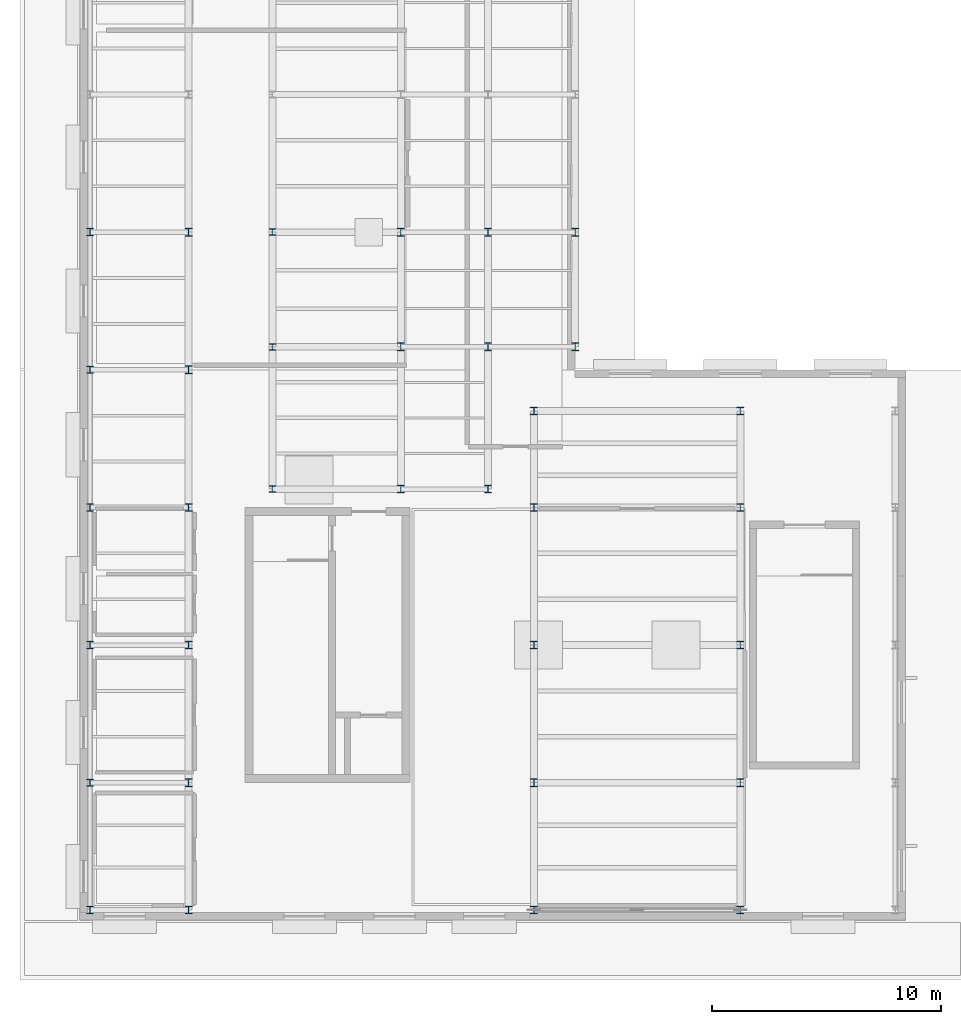
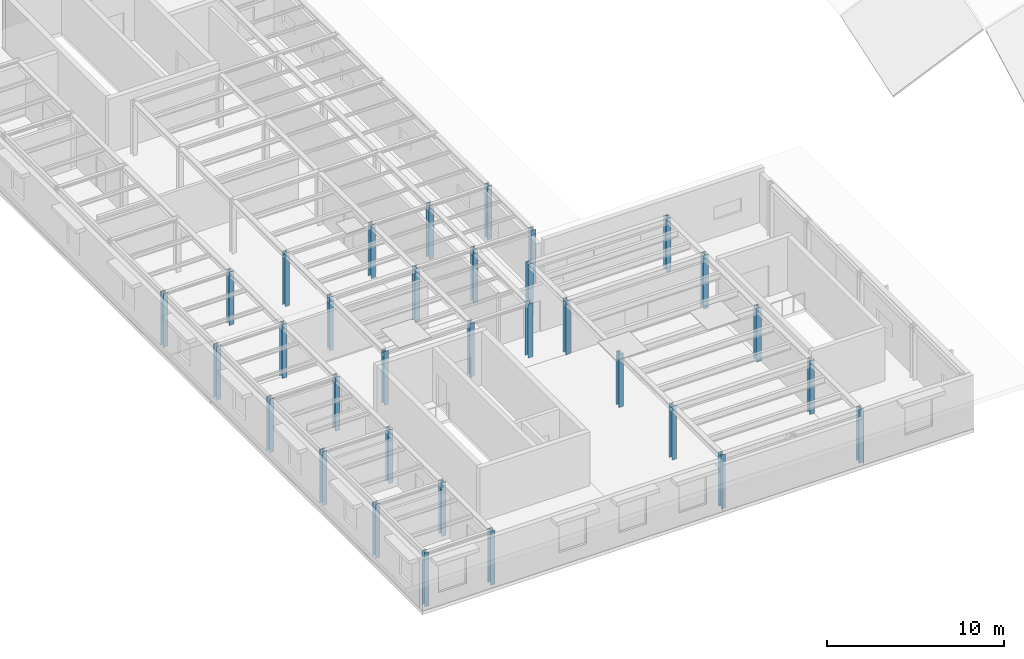
# One storey, part 1 of 10: 33 columns.
"""IFC4 building model written with IfcOpenShell, lengths in metres."""

from ifc_helpers import new_model, si_unit, direction, frame, origin, origin_2d, place, context, subcontext, project, spatial, i_section, extrude, material, material_profile, profile_set, type_object, element, save


model = new_model("IFC4")

# Units and contexts
model_context = context("Model", 3, precision=1e-05, world=origin(), true_north=direction((0.0, 1.0)))
body_context = subcontext(model_context, "Body", "Model", "MODEL_VIEW")
ifc_project = project(units=[si_unit("LENGTHUNIT", "METRE"), si_unit("AREAUNIT", "SQUARE_METRE"), si_unit("VOLUMEUNIT", "CUBIC_METRE"), si_unit("PLANEANGLEUNIT", "RADIAN"), si_unit("MASSUNIT", "GRAM", prefix="KILO")], contexts=[model_context])

# Site, building, storey
site_placement = place(None, origin())
site = spatial("IfcSite", under=ifc_project, at=site_placement, CompositionType="ELEMENT")
building_placement = place(site_placement, origin())
building = spatial("IfcBuilding", under=site, at=building_placement, Name="Kolvaren Corner Interchange", CompositionType="ELEMENT")
storey_placement = place(building_placement, frame((0.0, 0.0, 18.75)))
storey = spatial("IfcBuildingStorey", under=building, at=storey_placement, Name="L05", CompositionType="ELEMENT", Elevation=18.75)

# Columns
ifc_material_1 = material(Name="Steel S355", Category="steel")
ifc_material_profile_1 = material_profile(ifc_material_1, i_section(OverallWidth=0.280029296875, OverallDepth=0.280029296875, WebThickness=0.010498046875, FlangeThickness=0.01806640625, FilletRadius=0.02392578125, at=origin_2d()), Name="HEB 280")
ifc_profile_set_1 = profile_set([ifc_material_profile_1], Name="Steel S355")
column_type_1 = type_object("IfcColumnType", Name="COL-HEB280", PredefinedType="COLUMN", material=ifc_profile_set_1)
for number, where, z_axis, x_axis, name in (
    (1, (8.39990234375, 18.800048828125, 0.0), (0.0, 0.0, 1.0), (1.0, 0.0, 0.0), "Storey L05 Structural Column 0217"),
    (2, (8.39990234375, 25.0, 0.0), (0.0, 0.0, 1.0), (1.0, 0.0, 0.0), "Storey L05 Structural Column 0223"),
    (3, (8.39990234375, 30.0, 0.0), (0.0, 0.0, 1.0), (1.0, 0.0, 0.0), "Storey L05 Structural Column 0229"),
):
    element("IfcColumn", number, at=place(storey_placement, frame(where, z_axis=z_axis, x_axis=x_axis)), inside=storey, type_object=column_type_1, Name=name, PredefinedType="COLUMN", context=body_context, shape_type="SweptSolid", body=[
        extrude(i_section(OverallWidth=0.280029296875, OverallDepth=0.280029296875, WebThickness=0.010498046875, FlangeThickness=0.01806640625, FilletRadius=0.02392578125, at=origin_2d()), origin(), (0.0, 0.0, 1.0), 3.7099609375),
    ])
ifc_material_2 = material(Name="Steel S355", Category="steel")
ifc_material_profile_2 = material_profile(ifc_material_2, i_section(OverallWidth=0.300048828125, OverallDepth=0.320068359375, WebThickness=0.011474609375, FlangeThickness=0.0205078125, FilletRadius=0.027099609375, at=origin_2d()), Name="HEB 320")
ifc_profile_set_2 = profile_set([ifc_material_profile_2], Name="Steel S355")
column_type_2 = type_object("IfcColumnType", Name="COL-HEB320", PredefinedType="COLUMN", material=ifc_profile_set_2)
for number, where, z_axis, x_axis, name in (
    (4, (0.449951171875, 0.449951171875, 0.0), (0.0, 0.0, 1.0), (1.0, 0.0, 0.0), "Storey L05 Structural Column 0005"),
    (5, (0.449951171875, 6.0, 0.0), (0.0, 0.0, 1.0), (1.0, 0.0, 0.0), "Storey L05 Structural Column 0010"),
    (6, (0.449951171875, 12.0, 0.0), (0.0, 0.0, 1.0), (1.0, 0.0, 0.0), "Storey L05 Structural Column 0015"),
    (7, (0.449951171875, 18.0, 0.0), (0.0, 0.0, 1.0), (1.0, 0.0, 0.0), "Storey L05 Structural Column 0020"),
    (8, (0.449951171875, 24.0, 0.0), (0.0, 0.0, 1.0), (1.0, 0.0, 0.0), "Storey L05 Structural Column 0025"),
    (9, (0.449951171875, 30.0, 0.0), (0.0, 0.0, 1.0), (1.0, 0.0, 0.0), "Storey L05 Structural Column 0030"),
):
    element("IfcColumn", number, at=place(storey_placement, frame(where, z_axis=z_axis, x_axis=x_axis)), inside=storey, type_object=column_type_2, Name=name, PredefinedType="COLUMN", context=body_context, shape_type="SweptSolid", body=[
        extrude(i_section(OverallWidth=0.300048828125, OverallDepth=0.320068359375, WebThickness=0.011474609375, FlangeThickness=0.0205078125, FilletRadius=0.027099609375, at=origin_2d()), origin(), (0.0, 0.0, 1.0), 3.7099609375),
    ])
ifc_material_3 = material(Name="Steel S355", Category="steel")
ifc_material_profile_3 = material_profile(ifc_material_3, i_section(OverallWidth=0.300048828125, OverallDepth=0.340087890625, WebThickness=0.011962890625, FlangeThickness=0.021484375, FilletRadius=0.027099609375, at=origin_2d()), Name="HEB 340")
ifc_profile_set_3 = profile_set([ifc_material_profile_3], Name="Steel S355")
column_type_3 = type_object("IfcColumnType", Name="COL-HEB340", PredefinedType="COLUMN", material=ifc_profile_set_3)
for number, where, z_axis, x_axis, name in (
    (10, (4.75, 0.449951171875, 0.0), (0.0, 0.0, 1.0), (1.0, 0.0, 0.0), "Storey L05 Structural Column 0073"),
    (11, (4.75, 6.0, 0.0), (0.0, 0.0, 1.0), (1.0, 0.0, 0.0), "Storey L05 Structural Column 0078"),
    (12, (4.75, 12.0, 0.0), (0.0, 0.0, 1.0), (1.0, 0.0, 0.0), "Storey L05 Structural Column 0083"),
    (13, (4.75, 18.0, 0.0), (0.0, 0.0, 1.0), (1.0, 0.0, 0.0), "Storey L05 Structural Column 0088"),
    (14, (4.75, 24.0, 0.0), (0.0, 0.0, 1.0), (1.0, 0.0, 0.0), "Storey L05 Structural Column 0093"),
    (15, (4.75, 30.0, 0.0), (0.0, 0.0, 1.0), (1.0, 0.0, 0.0), "Storey L05 Structural Column 0098"),
    (16, (19.800048828125, 0.449951171875, 0.0), (0.0, 0.0, 1.0), (1.0, 0.0, 0.0), "Storey L05 Structural Column 0141"),
    (17, (19.800048828125, 6.0, 0.0), (0.0, 0.0, 1.0), (1.0, 0.0, 0.0), "Storey L05 Structural Column 0146"),
    (18, (19.800048828125, 12.0, 0.0), (0.0, 0.0, 1.0), (1.0, 0.0, 0.0), "Storey L05 Structural Column 0151"),
    (19, (19.800048828125, 18.0, 0.0), (0.0, 0.0, 1.0), (1.0, 0.0, 0.0), "Storey L05 Structural Column 0156"),
    (20, (19.800048828125, 22.199951171875, 0.0), (0.0, 0.0, 1.0), (1.0, 0.0, 0.0), "Storey L05 Structural Column 0161"),
    (21, (28.800048828125, 0.449951171875, 0.0), (0.0, 0.0, 1.0), (1.0, 0.0, 0.0), "Storey L05 Structural Column 0166"),
    (22, (28.800048828125, 6.0, 0.0), (0.0, 0.0, 1.0), (1.0, 0.0, 0.0), "Storey L05 Structural Column 0171"),
    (23, (28.800048828125, 12.0, 0.0), (0.0, 0.0, 1.0), (1.0, 0.0, 0.0), "Storey L05 Structural Column 0176"),
    (24, (28.800048828125, 18.0, 0.0), (0.0, 0.0, 1.0), (1.0, 0.0, 0.0), "Storey L05 Structural Column 0181"),
    (25, (28.800048828125, 22.199951171875, 0.0), (0.0, 0.0, 1.0), (1.0, 0.0, 0.0), "Storey L05 Structural Column 0186"),
    (26, (14.0, 18.800048828125, 0.0), (0.0, 0.0, 1.0), (1.0, 0.0, 0.0), "Storey L05 Structural Column 0253"),
    (27, (14.0, 25.0, 0.0), (0.0, 0.0, 1.0), (1.0, 0.0, 0.0), "Storey L05 Structural Column 0259"),
    (28, (14.0, 30.0, 0.0), (0.0, 0.0, 1.0), (1.0, 0.0, 0.0), "Storey L05 Structural Column 0265"),
    (29, (17.800048828125, 18.800048828125, 0.0), (0.0, 0.0, 1.0), (1.0, 0.0, 0.0), "Storey L05 Structural Column 0289"),
    (30, (17.800048828125, 25.0, 0.0), (0.0, 0.0, 1.0), (1.0, 0.0, 0.0), "Storey L05 Structural Column 0295"),
    (31, (17.800048828125, 30.0, 0.0), (0.0, 0.0, 1.0), (1.0, 0.0, 0.0), "Storey L05 Structural Column 0301"),
    (32, (21.60009765625, 25.0, 0.0), (0.0, 0.0, 1.0), (1.0, 0.0, 0.0), "Storey L05 Structural Column 0336"),
    (33, (21.60009765625, 30.0, 0.0), (0.0, 0.0, 1.0), (1.0, 0.0, 0.0), "Storey L05 Structural Column 0342"),
):
    element("IfcColumn", number, at=place(storey_placement, frame(where, z_axis=z_axis, x_axis=x_axis)), inside=storey, type_object=column_type_3, Name=name, PredefinedType="COLUMN", context=body_context, shape_type="SweptSolid", body=[
        extrude(i_section(OverallWidth=0.300048828125, OverallDepth=0.340087890625, WebThickness=0.011962890625, FlangeThickness=0.021484375, FilletRadius=0.027099609375, at=origin_2d()), origin(), (0.0, 0.0, 1.0), 3.7099609375),
    ])

save(model, "model.ifc")
